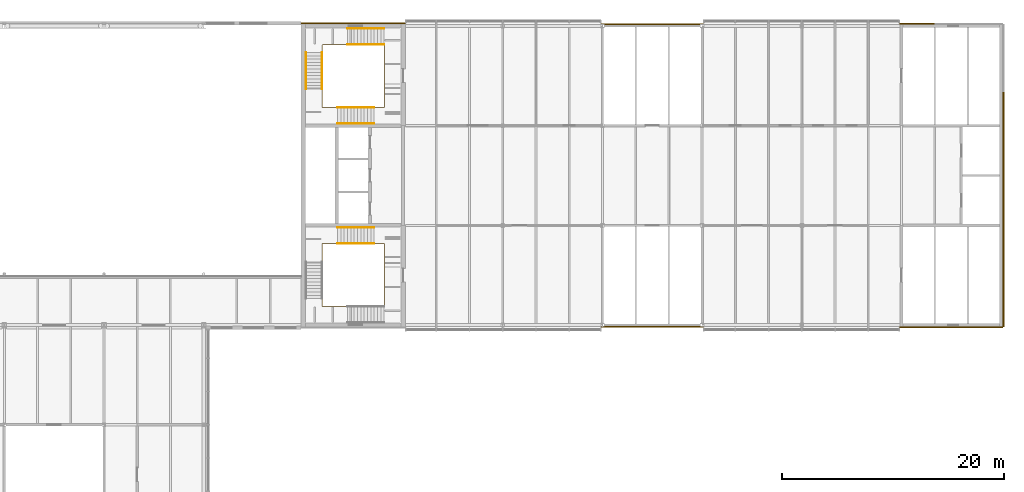
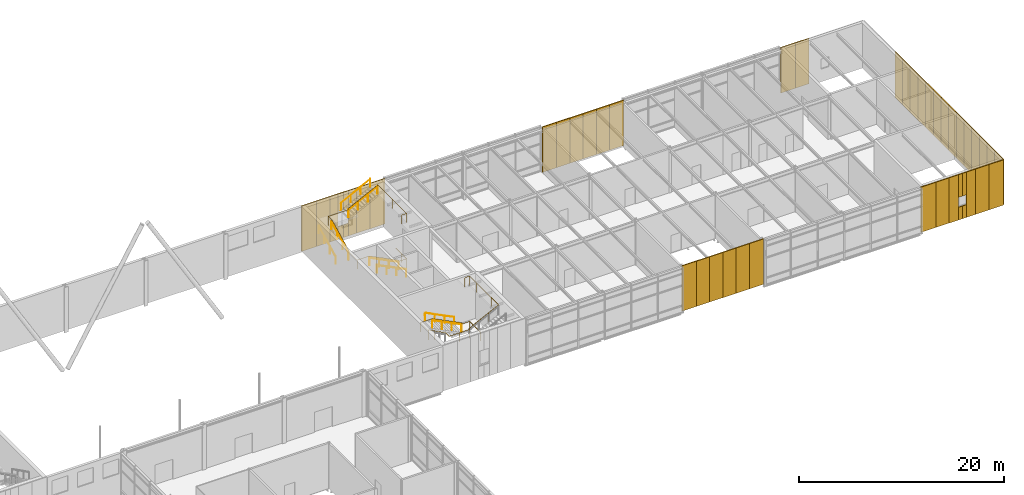
# One storey, part 45 of 46: 48 coverings, 10 railings.
"""IFC4 building model written with IfcOpenShell, lengths in metres."""

from ifc_helpers import new_model, si_unit, direction, frame, origin, origin_2d, place, context, subcontext, project, spatial, rectangle, circle, extrude, material, layer, layer_set, type_object, element, save


model = new_model("IFC4")

# Units and contexts
model_context = context("Model", 3, precision=1e-05, world=origin(), true_north=direction((0.0, 1.0)))
body_context = subcontext(model_context, "Body", "Model", "MODEL_VIEW")
ifc_project = project(units=[si_unit("LENGTHUNIT", "METRE"), si_unit("AREAUNIT", "SQUARE_METRE"), si_unit("VOLUMEUNIT", "CUBIC_METRE"), si_unit("PLANEANGLEUNIT", "RADIAN"), si_unit("MASSUNIT", "GRAM", prefix="KILO")], contexts=[model_context])

# Site, building, storey
site_placement = place(None, origin())
site = spatial("IfcSite", under=ifc_project, at=site_placement, CompositionType="ELEMENT")
building_placement = place(site_placement, origin())
building = spatial("IfcBuilding", under=site, at=building_placement, Name="Azimuth Sports and Learning Centre", CompositionType="ELEMENT")
storey_placement = place(building_placement, frame((0.0, 0.0, 21.60009765625)))
storey = spatial("IfcBuildingStorey", under=building, at=storey_placement, Name="L04", CompositionType="ELEMENT", Elevation=21.60009765625)

# Coverings
ifc_material_1 = material(Name="Cladding panel")
ifc_layer = layer(ifc_material_1, 0.10009765625)
ifc_layer_set = layer_set([ifc_layer], Name="Cladding panel")
covering_type = type_object("IfcCoveringType", Name="Cladding panel 100", PredefinedType="CLADDING", material=ifc_layer_set)
covering_1_placement = place(storey_placement, frame((135.699951171875, 89.85009765625, 0.0), z_axis=(0.0, 0.0, 1.0), x_axis=(1.0, 0.0, 0.0)))
element("IfcCovering", 1, at=covering_1_placement, inside=storey, type_object=covering_type, Name="Cladding panel S-EM1 L04 1", PredefinedType="CLADDING", context=body_context, shape_type="SweptSolid", body=[
    extrude(rectangle(XDim=1.60009765625, YDim=0.10009765625, at=origin_2d()), origin(), (0.0, 0.0, 1.0), 5.39990234375),
])
for number, where, z_axis, x_axis, name in (
    (2, (137.25, 89.85009765625, 0.0), (0.0, 0.0, 1.0), (1.0, 0.0, 0.0), "Cladding panel S-EM1 L04 2"),
    (3, (138.75, 89.85009765625, 0.0), (0.0, 0.0, 1.0), (1.0, 0.0, 0.0), "Cladding panel S-EM1 L04 3"),
    (4, (140.25, 89.85009765625, 0.0), (0.0, 0.0, 1.0), (1.0, 0.0, 0.0), "Cladding panel S-EM1 L04 4"),
    (5, (141.75, 89.85009765625, 0.0), (0.0, 0.0, 1.0), (1.0, 0.0, 0.0), "Cladding panel S-EM1 L04 5"),
):
    element("IfcCovering", number, at=place(storey_placement, frame(where, z_axis=z_axis, x_axis=x_axis)), inside=storey, type_object=covering_type, Name=name, PredefinedType="CLADDING", context=body_context, shape_type="SweptSolid", body=[
        extrude(rectangle(XDim=1.5, YDim=0.10009765625, at=origin_2d()), origin(), (0.0, 0.0, 1.0), 5.39990234375),
    ])
covering_2_placement = place(storey_placement, frame((143.300048828125, 89.85009765625, 0.0), z_axis=(0.0, 0.0, 1.0), x_axis=(1.0, 0.0, 0.0)))
element("IfcCovering", 6, at=covering_2_placement, inside=storey, type_object=covering_type, Name="Cladding panel S-EM1 L04 6", PredefinedType="CLADDING", context=body_context, shape_type="SweptSolid", body=[
    extrude(rectangle(XDim=1.60009765625, YDim=0.10009765625, at=origin_2d()), origin(), (0.0, 0.0, 1.0), 5.39990234375),
])
covering_3_placement = place(storey_placement, frame((162.675048828125, 89.800048828125, 0.0), z_axis=(0.0, 0.0, 1.0), x_axis=(1.0, 0.0, 0.0)))
element("IfcCovering", 7, at=covering_3_placement, inside=storey, type_object=covering_type, Name="Cladding panel S-END E L04 1", PredefinedType="CLADDING", context=body_context, shape_type="SweptSolid", body=[
    extrude(rectangle(XDim=1.64990234375, YDim=0.10009765625, at=origin_2d()), origin(), (0.0, 0.0, 1.0), 5.39990234375),
])
covering_4_placement = place(storey_placement, frame((164.25, 89.800048828125, 0.0), z_axis=(0.0, 0.0, 1.0), x_axis=(1.0, 0.0, 0.0)))
element("IfcCovering", 8, at=covering_4_placement, inside=storey, type_object=covering_type, Name="Cladding panel S-END E L04 2", PredefinedType="CLADDING", context=body_context, shape_type="SweptSolid", body=[
    extrude(rectangle(XDim=1.5, YDim=0.10009765625, at=origin_2d()), origin(), (0.0, 0.0, 1.0), 5.39990234375),
])
covering_5_placement = place(storey_placement, frame((165.52490234375, 89.800048828125, 0.0), z_axis=(0.0, 0.0, 1.0), x_axis=(1.0, 0.0, 0.0)))
element("IfcCovering", 9, at=covering_5_placement, inside=storey, type_object=covering_type, Name="Cladding panel S-END E L04 3", PredefinedType="CLADDING", context=body_context, shape_type="SweptSolid", body=[
    extrude(rectangle(XDim=1.050048828125, YDim=0.10009765625, at=origin_2d()), origin(), (0.0, 0.0, 1.0), 5.39990234375),
])
covering_6_placement = place(storey_placement, frame((166.27490234375, 89.800048828125, 0.0), z_axis=(0.0, 0.0, 1.0), x_axis=(1.0, 0.0, 0.0)))
element("IfcCovering", 10, at=covering_6_placement, inside=storey, type_object=covering_type, Name="Cladding panel S-END E L04 4", PredefinedType="CLADDING", context=body_context, shape_type="SweptSolid", body=[
    extrude(rectangle(XDim=0.449951171875, YDim=0.10009765625, at=origin_2d()), origin(), (0.0, 0.0, 1.0), 1.5),
])
covering_7_placement = place(storey_placement, frame((166.27490234375, 89.800048828125, 2.69970703125), z_axis=(0.0, 0.0, 1.0), x_axis=(1.0, 0.0, 0.0)))
element("IfcCovering", 11, at=covering_7_placement, inside=storey, type_object=covering_type, Name="Cladding panel S-END E L04 5", PredefinedType="CLADDING", context=body_context, shape_type="SweptSolid", body=[
    extrude(rectangle(XDim=0.449951171875, YDim=0.10009765625, at=origin_2d()), origin(), (0.0, 0.0, 1.0), 2.699951171875),
])
covering_8_placement = place(storey_placement, frame((167.47509765625, 89.800048828125, 0.0), z_axis=(0.0, 0.0, 1.0), x_axis=(1.0, 0.0, 0.0)))
element("IfcCovering", 12, at=covering_8_placement, inside=storey, type_object=covering_type, Name="Cladding panel S-END E L04 6", PredefinedType="CLADDING", context=body_context, shape_type="SweptSolid", body=[
    extrude(rectangle(XDim=1.050048828125, YDim=0.10009765625, at=origin_2d()), origin(), (0.0, 0.0, 1.0), 5.39990234375),
])
covering_9_placement = place(storey_placement, frame((166.72509765625, 89.800048828125, 0.0), z_axis=(0.0, 0.0, 1.0), x_axis=(1.0, 0.0, 0.0)))
element("IfcCovering", 13, at=covering_9_placement, inside=storey, type_object=covering_type, Name="Cladding panel S-END E L04 7", PredefinedType="CLADDING", context=body_context, shape_type="SweptSolid", body=[
    extrude(rectangle(XDim=0.449951171875, YDim=0.10009765625, at=origin_2d()), origin(), (0.0, 0.0, 1.0), 1.5),
])
covering_10_placement = place(storey_placement, frame((166.72509765625, 89.800048828125, 2.69970703125), z_axis=(0.0, 0.0, 1.0), x_axis=(1.0, 0.0, 0.0)))
element("IfcCovering", 14, at=covering_10_placement, inside=storey, type_object=covering_type, Name="Cladding panel S-END E L04 8", PredefinedType="CLADDING", context=body_context, shape_type="SweptSolid", body=[
    extrude(rectangle(XDim=0.449951171875, YDim=0.10009765625, at=origin_2d()), origin(), (0.0, 0.0, 1.0), 2.699951171875),
])
covering_11_placement = place(storey_placement, frame((168.75, 89.800048828125, 0.0), z_axis=(0.0, 0.0, 1.0), x_axis=(1.0, 0.0, 0.0)))
element("IfcCovering", 15, at=covering_11_placement, inside=storey, type_object=covering_type, Name="Cladding panel S-END E L04 9", PredefinedType="CLADDING", context=body_context, shape_type="SweptSolid", body=[
    extrude(rectangle(XDim=1.5, YDim=0.10009765625, at=origin_2d()), origin(), (0.0, 0.0, 1.0), 5.39990234375),
])
for number, where, z_axis, x_axis, name in (
    (16, (170.324951171875, 89.800048828125, 0.0), (0.0, 0.0, 1.0), (1.0, 0.0, 0.0), "Cladding panel S-END E L04 10"),
    (17, (171.199951171875, 90.675048828125, 0.0), (0.0, 0.0, 1.0), (0.0, 1.0, 0.0), "Cladding panel E-END E L04 1"),
):
    element("IfcCovering", number, at=place(storey_placement, frame(where, z_axis=z_axis, x_axis=x_axis)), inside=storey, type_object=covering_type, Name=name, PredefinedType="CLADDING", context=body_context, shape_type="SweptSolid", body=[
        extrude(rectangle(XDim=1.64990234375, YDim=0.10009765625, at=origin_2d()), origin(), (0.0, 0.0, 1.0), 5.39990234375),
    ])
for number, where, z_axis, x_axis, name in (
    (18, (171.199951171875, 92.25, 0.0), (0.0, 0.0, 1.0), (0.0, 1.0, 0.0), "Cladding panel E-END E L04 2"),
    (19, (171.199951171875, 93.75, 0.0), (0.0, 0.0, 1.0), (0.0, 1.0, 0.0), "Cladding panel E-END E L04 3"),
    (20, (171.199951171875, 95.25, 0.0), (0.0, 0.0, 1.0), (0.0, 1.0, 0.0), "Cladding panel E-END E L04 4"),
    (21, (171.199951171875, 96.75, 0.0), (0.0, 0.0, 1.0), (0.0, 1.0, 0.0), "Cladding panel E-END E L04 5"),
    (22, (171.199951171875, 98.25, 0.0), (0.0, 0.0, 1.0), (0.0, 1.0, 0.0), "Cladding panel E-END E L04 6"),
    (23, (171.199951171875, 99.75, 0.0), (0.0, 0.0, 1.0), (0.0, 1.0, 0.0), "Cladding panel E-END E L04 7"),
    (24, (171.199951171875, 101.25, 0.0), (0.0, 0.0, 1.0), (0.0, 1.0, 0.0), "Cladding panel E-END E L04 8"),
    (25, (171.199951171875, 102.75, 0.0), (0.0, 0.0, 1.0), (0.0, 1.0, 0.0), "Cladding panel E-END E L04 9"),
    (26, (171.199951171875, 104.25, 0.0), (0.0, 0.0, 1.0), (0.0, 1.0, 0.0), "Cladding panel E-END E L04 10"),
    (27, (171.199951171875, 105.75, 0.0), (0.0, 0.0, 1.0), (0.0, 1.0, 0.0), "Cladding panel E-END E L04 11"),
    (28, (171.199951171875, 107.25, 0.0), (0.0, 0.0, 1.0), (0.0, 1.0, 0.0), "Cladding panel E-END E L04 12"),
    (29, (171.199951171875, 108.75, 0.0), (0.0, 0.0, 1.0), (0.0, 1.0, 0.0), "Cladding panel E-END E L04 13"),
    (30, (171.199951171875, 110.25, 0.0), (0.0, 0.0, 1.0), (0.0, 1.0, 0.0), "Cladding panel E-END E L04 14"),
    (31, (164.25, 117.199951171875, 0.0), (0.0, 0.0, 1.0), (-1.0, 0.0, 0.0), "Cladding panel N-END E L04 9"),
):
    element("IfcCovering", number, at=place(storey_placement, frame(where, z_axis=z_axis, x_axis=x_axis)), inside=storey, type_object=covering_type, Name=name, PredefinedType="CLADDING", context=body_context, shape_type="SweptSolid", body=[
        extrude(rectangle(XDim=1.5, YDim=0.10009765625, at=origin_2d()), origin(), (0.0, 0.0, 1.0), 5.39990234375),
    ])
covering_12_placement = place(storey_placement, frame((162.675048828125, 117.199951171875, 0.0), z_axis=(0.0, 0.0, 1.0), x_axis=(-1.0, 0.0, 0.0)))
element("IfcCovering", 32, at=covering_12_placement, inside=storey, type_object=covering_type, Name="Cladding panel N-END E L04 10", PredefinedType="CLADDING", context=body_context, shape_type="SweptSolid", body=[
    extrude(rectangle(XDim=1.64990234375, YDim=0.10009765625, at=origin_2d()), origin(), (0.0, 0.0, 1.0), 5.39990234375),
])
covering_13_placement = place(storey_placement, frame((143.300048828125, 117.14990234375, 0.0), z_axis=(0.0, 0.0, 1.0), x_axis=(-1.0, 0.0, 0.0)))
element("IfcCovering", 33, at=covering_13_placement, inside=storey, type_object=covering_type, Name="Cladding panel N-EM2 L04 1", PredefinedType="CLADDING", context=body_context, shape_type="SweptSolid", body=[
    extrude(rectangle(XDim=1.60009765625, YDim=0.10009765625, at=origin_2d()), origin(), (0.0, 0.0, 1.0), 5.39990234375),
])
for number, where, z_axis, x_axis, name in (
    (34, (141.75, 117.14990234375, 0.0), (0.0, 0.0, 1.0), (-1.0, 0.0, 0.0), "Cladding panel N-EM2 L04 2"),
    (35, (140.25, 117.14990234375, 0.0), (0.0, 0.0, 1.0), (-1.0, 0.0, 0.0), "Cladding panel N-EM2 L04 3"),
    (36, (138.75, 117.14990234375, 0.0), (0.0, 0.0, 1.0), (-1.0, 0.0, 0.0), "Cladding panel N-EM2 L04 4"),
    (37, (137.25, 117.14990234375, 0.0), (0.0, 0.0, 1.0), (-1.0, 0.0, 0.0), "Cladding panel N-EM2 L04 5"),
):
    element("IfcCovering", number, at=place(storey_placement, frame(where, z_axis=z_axis, x_axis=x_axis)), inside=storey, type_object=covering_type, Name=name, PredefinedType="CLADDING", context=body_context, shape_type="SweptSolid", body=[
        extrude(rectangle(XDim=1.5, YDim=0.10009765625, at=origin_2d()), origin(), (0.0, 0.0, 1.0), 5.39990234375),
    ])
covering_14_placement = place(storey_placement, frame((135.699951171875, 117.14990234375, 0.0), z_axis=(0.0, 0.0, 1.0), x_axis=(-1.0, 0.0, 0.0)))
element("IfcCovering", 38, at=covering_14_placement, inside=storey, type_object=covering_type, Name="Cladding panel N-EM2 L04 6", PredefinedType="CLADDING", context=body_context, shape_type="SweptSolid", body=[
    extrude(rectangle(XDim=1.60009765625, YDim=0.10009765625, at=origin_2d()), origin(), (0.0, 0.0, 1.0), 5.39990234375),
])
covering_15_placement = place(storey_placement, frame((116.35009765625, 117.25, 0.0), z_axis=(0.0, 0.0, 1.0), x_axis=(-1.0, 0.0, 0.0)))
element("IfcCovering", 39, at=covering_15_placement, inside=storey, type_object=covering_type, Name="Cladding panel N-CORE E L04 1", PredefinedType="CLADDING", context=body_context, shape_type="SweptSolid", body=[
    extrude(rectangle(XDim=1.699951171875, YDim=0.10009765625, at=origin_2d()), origin(), (0.0, 0.0, 1.0), 5.39990234375),
])
covering_16_placement = place(storey_placement, frame((114.75, 117.25, 0.0), z_axis=(0.0, 0.0, 1.0), x_axis=(-1.0, 0.0, 0.0)))
element("IfcCovering", 40, at=covering_16_placement, inside=storey, type_object=covering_type, Name="Cladding panel N-CORE E L04 2", PredefinedType="CLADDING", context=body_context, shape_type="SweptSolid", body=[
    extrude(rectangle(XDim=1.5, YDim=0.10009765625, at=origin_2d()), origin(), (0.0, 0.0, 1.0), 5.39990234375),
])
covering_17_placement = place(storey_placement, frame((113.550048828125, 117.25, 0.0), z_axis=(0.0, 0.0, 1.0), x_axis=(-1.0, 0.0, 0.0)))
element("IfcCovering", 41, at=covering_17_placement, inside=storey, type_object=covering_type, Name="Cladding panel N-CORE E L04 3", PredefinedType="CLADDING", context=body_context, shape_type="SweptSolid", body=[
    extrude(rectangle(XDim=0.89990234375, YDim=0.10009765625, at=origin_2d()), origin(), (0.0, 0.0, 1.0), 5.39990234375),
])
covering_18_placement = place(storey_placement, frame((112.800048828125, 117.25, 0.0), z_axis=(0.0, 0.0, 1.0), x_axis=(-1.0, 0.0, 0.0)))
element("IfcCovering", 42, at=covering_18_placement, inside=storey, type_object=covering_type, Name="Cladding panel N-CORE E L04 4", PredefinedType="CLADDING", context=body_context, shape_type="SweptSolid", body=[
    extrude(rectangle(XDim=0.60009765625, YDim=0.10009765625, at=origin_2d()), origin(), (0.0, 0.0, 1.0), 1.5),
])
covering_19_placement = place(storey_placement, frame((112.800048828125, 117.25, 3.2998046875), z_axis=(0.0, 0.0, 1.0), x_axis=(-1.0, 0.0, 0.0)))
element("IfcCovering", 43, at=covering_19_placement, inside=storey, type_object=covering_type, Name="Cladding panel N-CORE E L04 5", PredefinedType="CLADDING", context=body_context, shape_type="SweptSolid", body=[
    extrude(rectangle(XDim=0.60009765625, YDim=0.10009765625, at=origin_2d()), origin(), (0.0, 0.0, 1.0), 2.10009765625),
])
covering_20_placement = place(storey_placement, frame((111.449951171875, 117.25, 0.0), z_axis=(0.0, 0.0, 1.0), x_axis=(-1.0, 0.0, 0.0)))
element("IfcCovering", 44, at=covering_20_placement, inside=storey, type_object=covering_type, Name="Cladding panel N-CORE E L04 6", PredefinedType="CLADDING", context=body_context, shape_type="SweptSolid", body=[
    extrude(rectangle(XDim=0.89990234375, YDim=0.10009765625, at=origin_2d()), origin(), (0.0, 0.0, 1.0), 5.39990234375),
])
covering_21_placement = place(storey_placement, frame((112.199951171875, 117.25, 0.0), z_axis=(0.0, 0.0, 1.0), x_axis=(-1.0, 0.0, 0.0)))
element("IfcCovering", 45, at=covering_21_placement, inside=storey, type_object=covering_type, Name="Cladding panel N-CORE E L04 7", PredefinedType="CLADDING", context=body_context, shape_type="SweptSolid", body=[
    extrude(rectangle(XDim=0.60009765625, YDim=0.10009765625, at=origin_2d()), origin(), (0.0, 0.0, 1.0), 1.5),
])
covering_22_placement = place(storey_placement, frame((112.199951171875, 117.25, 3.2998046875), z_axis=(0.0, 0.0, 1.0), x_axis=(-1.0, 0.0, 0.0)))
element("IfcCovering", 46, at=covering_22_placement, inside=storey, type_object=covering_type, Name="Cladding panel N-CORE E L04 8", PredefinedType="CLADDING", context=body_context, shape_type="SweptSolid", body=[
    extrude(rectangle(XDim=0.60009765625, YDim=0.10009765625, at=origin_2d()), origin(), (0.0, 0.0, 1.0), 2.10009765625),
])
covering_23_placement = place(storey_placement, frame((110.25, 117.25, 0.0), z_axis=(0.0, 0.0, 1.0), x_axis=(-1.0, 0.0, 0.0)))
element("IfcCovering", 47, at=covering_23_placement, inside=storey, type_object=covering_type, Name="Cladding panel N-CORE E L04 9", PredefinedType="CLADDING", context=body_context, shape_type="SweptSolid", body=[
    extrude(rectangle(XDim=1.5, YDim=0.10009765625, at=origin_2d()), origin(), (0.0, 0.0, 1.0), 5.39990234375),
])
covering_24_placement = place(storey_placement, frame((108.64990234375, 117.25, 0.0), z_axis=(0.0, 0.0, 1.0), x_axis=(-1.0, 0.0, 0.0)))
element("IfcCovering", 48, at=covering_24_placement, inside=storey, type_object=covering_type, Name="Cladding panel N-CORE E L04 10", PredefinedType="CLADDING", context=body_context, shape_type="SweptSolid", body=[
    extrude(rectangle(XDim=1.699951171875, YDim=0.10009765625, at=origin_2d()), origin(), (0.0, 0.0, 1.0), 5.39990234375),
])

# Railings
ifc_material_2 = material(Name="Stainless steel", Category="steel")
railing_type_1 = type_object("IfcRailingType", Name="Stair guard 1100", PredefinedType="GUARDRAIL", material=ifc_material_2)
railing_1_placement = place(storey_placement, frame((115.2900390625, 95.25, 0.0)))
element("IfcRailing", 49, at=railing_1_placement, inside=storey, type_object=railing_type_1, Name="Guard E1 L04 well", PredefinedType="GUARDRAIL", context=body_context, shape_type="SweptSolid", body=[
    extrude(circle(Radius=0.02392578125, at=origin_2d()), frame((0.0, 0.0, 1.076171875), z_axis=(0.0, 1.0, 0.0), x_axis=(-1.0, 0.0, 0.0)), (0.0, 0.0, 1.0), 2.090087890625),
    extrude(circle(Radius=0.02392578125, at=origin_2d()), frame((0.0, 2.090087890625, 1.076171875), z_axis=(-1.0, 0.0, 0.0), x_axis=(0.0, -1.0, 0.0)), (0.0, 0.0, 1.0), 0.900146484375),
    extrude(circle(Radius=0.02392578125, at=origin_2d()), frame((-0.900146484375, 2.090087890625, 1.076171875), z_axis=(0.0, 0.0, 1.0), x_axis=(1.0, 0.0, 0.0)), (0.0, 0.0, 1.0), 0.14990234375),
    extrude(circle(Radius=0.02392578125, at=origin_2d()), frame((-0.900146484375, 2.090087890625, 1.22607421875), z_axis=(-0.894427191, 0.0, 0.4472135955), x_axis=(0.0, -1.0, 0.0)), (0.0, 0.0, 1.0), 3.689208984375),
    extrude(circle(Radius=0.02392578125, at=origin_2d()), frame((-4.199951171875, 2.090087890625, 2.8759765625), z_axis=(-1.0, 0.0, 0.0), x_axis=(0.0, -1.0, 0.0)), (0.0, 0.0, 1.0), 1.380126953125),
    extrude(circle(Radius=0.02392578125, at=origin_2d()), frame((-5.580078125, 2.090087890625, 2.8759765625), z_axis=(0.0, -1.0, 0.0), x_axis=(1.0, 0.0, 0.0)), (0.0, 0.0, 1.0), 1.650146484375),
    extrude(circle(Radius=0.02392578125, at=origin_2d()), frame((-5.580078125, 0.43994140625, 2.8759765625), z_axis=(0.0, 0.0, 1.0), x_axis=(1.0, 0.0, 0.0)), (0.0, 0.0, 1.0), 0.150146484375),
    extrude(circle(Radius=0.02392578125, at=origin_2d()), frame((-5.580078125, 0.43994140625, 3.02587890625), z_axis=(0.0, -0.894440424912, 0.447187126696), x_axis=(1.0, 0.0, 0.0)), (0.0, 0.0, 1.0), 3.689453125),
    extrude(circle(Radius=0.02392578125, at=origin_2d()), frame((-5.580078125, -2.860107421875, 4.67578125), z_axis=(0.0, -1.0, 0.0), x_axis=(1.0, 0.0, 0.0)), (0.0, 0.0, 1.0), 0.679931640625),
    extrude(circle(Radius=0.02392578125, at=origin_2d()), frame((-5.580078125, -3.5400390625, 4.67578125), z_axis=(1.0, 0.0, 0.0), x_axis=(0.0, 1.0, 0.0)), (0.0, 0.0, 1.0), 2.280029296875),
    extrude(circle(Radius=0.02392578125, at=origin_2d()), frame((-3.300048828125, -3.5400390625, 4.67578125), z_axis=(0.0, 0.0, 1.0), x_axis=(1.0, 0.0, 0.0)), (0.0, 0.0, 1.0), 0.150146484375),
    extrude(circle(Radius=0.02392578125, at=origin_2d()), frame((-3.300048828125, -3.5400390625, 4.826171875), z_axis=(0.894440424912, 0.0, 0.447187126696), x_axis=(0.0, 1.0, 0.0)), (0.0, 0.0, 1.0), 3.689453125),
    extrude(circle(Radius=0.02392578125, at=origin_2d()), frame((0.0, -3.5400390625, 6.47607421875), z_axis=(0.0, 1.0, 0.0), x_axis=(-1.0, 0.0, 0.0)), (0.0, 0.0, 1.0), 5.630126953125),
    extrude(circle(Radius=0.02392578125, at=origin_2d()), frame((0.0, 2.090087890625, 6.47607421875), z_axis=(-1.0, 0.0, 0.0), x_axis=(0.0, -1.0, 0.0)), (0.0, 0.0, 1.0), 0.5400390625),
    extrude(circle(Radius=0.01611328125, at=origin_2d()), origin(), (0.0, 0.0, 1.0), 1.052001953125),
    extrude(circle(Radius=0.01611328125, at=origin_2d()), frame((0.0, 1.044921875, 0.0)), (0.0, 0.0, 1.0), 1.052001953125),
    extrude(circle(Radius=0.01611328125, at=origin_2d()), frame((0.0, 2.090087890625, 0.0)), (0.0, 0.0, 1.0), 1.052001953125),
    extrude(circle(Radius=0.01611328125, at=origin_2d()), frame((-0.900146484375, 2.090087890625, 0.0)), (0.0, 0.0, 1.0), 1.052001953125),
    extrude(circle(Radius=0.01611328125, at=origin_2d()), frame((-0.900146484375, 2.090087890625, 0.14990234375)), (0.0, 0.0, 1.0), 1.052001953125),
    extrude(circle(Radius=0.01611328125, at=origin_2d()), frame((-2.0, 2.090087890625, 0.699951171875)), (0.0, 0.0, 1.0), 1.052001953125),
    extrude(circle(Radius=0.01611328125, at=origin_2d()), frame((-3.10009765625, 2.090087890625, 1.249755859375)), (0.0, 0.0, 1.0), 1.052001953125),
    extrude(circle(Radius=0.01611328125, at=origin_2d()), frame((-4.199951171875, 2.090087890625, 1.7998046875)), (0.0, 0.0, 1.0), 1.052001953125),
    extrude(circle(Radius=0.01611328125, at=origin_2d()), frame((-5.580078125, 2.090087890625, 1.7998046875)), (0.0, 0.0, 1.0), 1.052001953125),
    extrude(circle(Radius=0.01611328125, at=origin_2d()), frame((-5.580078125, 1.26513671875, 1.7998046875)), (0.0, 0.0, 1.0), 1.052001953125),
    extrude(circle(Radius=0.01611328125, at=origin_2d()), frame((-5.580078125, 0.43994140625, 1.7998046875)), (0.0, 0.0, 1.0), 1.052001953125),
    extrude(circle(Radius=0.01611328125, at=origin_2d()), frame((-5.580078125, 0.43994140625, 1.949951171875)), (0.0, 0.0, 1.0), 1.052001953125),
    extrude(circle(Radius=0.01611328125, at=origin_2d()), frame((-5.580078125, -0.66015625, 2.5)), (0.0, 0.0, 1.0), 1.052001953125),
    extrude(circle(Radius=0.01611328125, at=origin_2d()), frame((-5.580078125, -1.760009765625, 3.0498046875)), (0.0, 0.0, 1.0), 1.052001953125),
    extrude(circle(Radius=0.01611328125, at=origin_2d()), frame((-5.580078125, -2.860107421875, 3.599853515625)), (0.0, 0.0, 1.0), 1.052001953125),
    extrude(circle(Radius=0.01611328125, at=origin_2d()), frame((-5.580078125, -3.5400390625, 3.599853515625)), (0.0, 0.0, 1.0), 1.052001953125),
    extrude(circle(Radius=0.01611328125, at=origin_2d()), frame((-4.43994140625, -3.5400390625, 3.599853515625)), (0.0, 0.0, 1.0), 1.052001953125),
    extrude(circle(Radius=0.01611328125, at=origin_2d()), frame((-3.300048828125, -3.5400390625, 3.599853515625)), (0.0, 0.0, 1.0), 1.052001953125),
    extrude(circle(Radius=0.01611328125, at=origin_2d()), frame((-3.300048828125, -3.5400390625, 3.75)), (0.0, 0.0, 1.0), 1.052001953125),
    extrude(circle(Radius=0.01611328125, at=origin_2d()), frame((-2.199951171875, -3.5400390625, 4.300048828125)), (0.0, 0.0, 1.0), 1.052001953125),
    extrude(circle(Radius=0.01611328125, at=origin_2d()), frame((-1.10009765625, -3.5400390625, 4.849853515625)), (0.0, 0.0, 1.0), 1.052001953125),
    extrude(circle(Radius=0.01611328125, at=origin_2d()), frame((0.0, -3.5400390625, 5.39990234375)), (0.0, 0.0, 1.0), 1.052001953125),
    extrude(circle(Radius=0.01611328125, at=origin_2d()), frame((0.0, -2.132568359375, 5.39990234375)), (0.0, 0.0, 1.0), 1.052001953125),
    extrude(circle(Radius=0.01611328125, at=origin_2d()), frame((0.0, -0.72509765625, 5.39990234375)), (0.0, 0.0, 1.0), 1.052001953125),
    extrude(circle(Radius=0.01611328125, at=origin_2d()), frame((0.0, 0.6826171875, 5.39990234375)), (0.0, 0.0, 1.0), 1.052001953125),
    extrude(circle(Radius=0.01611328125, at=origin_2d()), frame((0.0, 2.090087890625, 5.39990234375)), (0.0, 0.0, 1.0), 1.052001953125),
    extrude(circle(Radius=0.01611328125, at=origin_2d()), frame((-0.5400390625, 2.090087890625, 5.39990234375)), (0.0, 0.0, 1.0), 1.052001953125),
])
railing_2_placement = place(storey_placement, frame((115.2900390625, 111.75, 0.0)))
element("IfcRailing", 50, at=railing_2_placement, inside=storey, type_object=railing_type_1, Name="Guard E2 L04 well", PredefinedType="GUARDRAIL", context=body_context, shape_type="SweptSolid", body=[
    extrude(circle(Radius=0.02392578125, at=origin_2d()), frame((0.0, 0.0, 1.076171875), z_axis=(0.0, -1.0, 0.0), x_axis=(1.0, 0.0, 0.0)), (0.0, 0.0, 1.0), 2.090087890625),
    extrude(circle(Radius=0.02392578125, at=origin_2d()), frame((0.0, -2.090087890625, 1.076171875), z_axis=(-1.0, 0.0, 0.0), x_axis=(0.0, -1.0, 0.0)), (0.0, 0.0, 1.0), 0.900146484375),
    extrude(circle(Radius=0.02392578125, at=origin_2d()), frame((-0.900146484375, -2.090087890625, 1.076171875), z_axis=(0.0, 0.0, 1.0), x_axis=(1.0, 0.0, 0.0)), (0.0, 0.0, 1.0), 0.14990234375),
    extrude(circle(Radius=0.02392578125, at=origin_2d()), frame((-0.900146484375, -2.090087890625, 1.22607421875), z_axis=(-0.894427191, 0.0, 0.4472135955), x_axis=(0.0, -1.0, 0.0)), (0.0, 0.0, 1.0), 3.689208984375),
    extrude(circle(Radius=0.02392578125, at=origin_2d()), frame((-4.199951171875, -2.090087890625, 2.8759765625), z_axis=(-1.0, 0.0, 0.0), x_axis=(0.0, -1.0, 0.0)), (0.0, 0.0, 1.0), 1.380126953125),
    extrude(circle(Radius=0.02392578125, at=origin_2d()), frame((-5.580078125, -2.090087890625, 2.8759765625), z_axis=(0.0, 1.0, 0.0), x_axis=(-1.0, 0.0, 0.0)), (0.0, 0.0, 1.0), 1.650146484375),
    extrude(circle(Radius=0.02392578125, at=origin_2d()), frame((-5.580078125, -0.43994140625, 2.8759765625), z_axis=(0.0, 0.0, 1.0), x_axis=(1.0, 0.0, 0.0)), (0.0, 0.0, 1.0), 0.150146484375),
    extrude(circle(Radius=0.02392578125, at=origin_2d()), frame((-5.580078125, -0.43994140625, 3.02587890625), z_axis=(0.0, 0.894440424912, 0.447187126696), x_axis=(-1.0, 0.0, 0.0)), (0.0, 0.0, 1.0), 3.689453125),
    extrude(circle(Radius=0.02392578125, at=origin_2d()), frame((-5.580078125, 2.860107421875, 4.67578125), z_axis=(0.0, 1.0, 0.0), x_axis=(-1.0, 0.0, 0.0)), (0.0, 0.0, 1.0), 0.679931640625),
    extrude(circle(Radius=0.02392578125, at=origin_2d()), frame((-5.580078125, 3.5400390625, 4.67578125), z_axis=(1.0, 0.0, 0.0), x_axis=(0.0, 1.0, 0.0)), (0.0, 0.0, 1.0), 2.280029296875),
    extrude(circle(Radius=0.02392578125, at=origin_2d()), frame((-3.300048828125, 3.5400390625, 4.67578125), z_axis=(0.0, 0.0, 1.0), x_axis=(1.0, 0.0, 0.0)), (0.0, 0.0, 1.0), 0.150146484375),
    extrude(circle(Radius=0.02392578125, at=origin_2d()), frame((-3.300048828125, 3.5400390625, 4.826171875), z_axis=(0.894440424912, 0.0, 0.447187126696), x_axis=(0.0, 1.0, 0.0)), (0.0, 0.0, 1.0), 3.689453125),
    extrude(circle(Radius=0.02392578125, at=origin_2d()), frame((0.0, 3.5400390625, 6.47607421875), z_axis=(0.0, -1.0, 0.0), x_axis=(1.0, 0.0, 0.0)), (0.0, 0.0, 1.0), 5.630126953125),
    extrude(circle(Radius=0.02392578125, at=origin_2d()), frame((0.0, -2.090087890625, 6.47607421875), z_axis=(-1.0, 0.0, 0.0), x_axis=(0.0, -1.0, 0.0)), (0.0, 0.0, 1.0), 0.5400390625),
    extrude(circle(Radius=0.01611328125, at=origin_2d()), origin(), (0.0, 0.0, 1.0), 1.052001953125),
    extrude(circle(Radius=0.01611328125, at=origin_2d()), frame((0.0, -1.044921875, 0.0)), (0.0, 0.0, 1.0), 1.052001953125),
    extrude(circle(Radius=0.01611328125, at=origin_2d()), frame((0.0, -2.090087890625, 0.0)), (0.0, 0.0, 1.0), 1.052001953125),
    extrude(circle(Radius=0.01611328125, at=origin_2d()), frame((-0.900146484375, -2.090087890625, 0.0)), (0.0, 0.0, 1.0), 1.052001953125),
    extrude(circle(Radius=0.01611328125, at=origin_2d()), frame((-0.900146484375, -2.090087890625, 0.14990234375)), (0.0, 0.0, 1.0), 1.052001953125),
    extrude(circle(Radius=0.01611328125, at=origin_2d()), frame((-2.0, -2.090087890625, 0.699951171875)), (0.0, 0.0, 1.0), 1.052001953125),
    extrude(circle(Radius=0.01611328125, at=origin_2d()), frame((-3.10009765625, -2.090087890625, 1.249755859375)), (0.0, 0.0, 1.0), 1.052001953125),
    extrude(circle(Radius=0.01611328125, at=origin_2d()), frame((-4.199951171875, -2.090087890625, 1.7998046875)), (0.0, 0.0, 1.0), 1.052001953125),
    extrude(circle(Radius=0.01611328125, at=origin_2d()), frame((-5.580078125, -2.090087890625, 1.7998046875)), (0.0, 0.0, 1.0), 1.052001953125),
    extrude(circle(Radius=0.01611328125, at=origin_2d()), frame((-5.580078125, -1.26513671875, 1.7998046875)), (0.0, 0.0, 1.0), 1.052001953125),
    extrude(circle(Radius=0.01611328125, at=origin_2d()), frame((-5.580078125, -0.43994140625, 1.7998046875)), (0.0, 0.0, 1.0), 1.052001953125),
    extrude(circle(Radius=0.01611328125, at=origin_2d()), frame((-5.580078125, -0.43994140625, 1.949951171875)), (0.0, 0.0, 1.0), 1.052001953125),
    extrude(circle(Radius=0.01611328125, at=origin_2d()), frame((-5.580078125, 0.66015625, 2.5)), (0.0, 0.0, 1.0), 1.052001953125),
    extrude(circle(Radius=0.01611328125, at=origin_2d()), frame((-5.580078125, 1.760009765625, 3.0498046875)), (0.0, 0.0, 1.0), 1.052001953125),
    extrude(circle(Radius=0.01611328125, at=origin_2d()), frame((-5.580078125, 2.860107421875, 3.599853515625)), (0.0, 0.0, 1.0), 1.052001953125),
    extrude(circle(Radius=0.01611328125, at=origin_2d()), frame((-5.580078125, 3.5400390625, 3.599853515625)), (0.0, 0.0, 1.0), 1.052001953125),
    extrude(circle(Radius=0.01611328125, at=origin_2d()), frame((-4.43994140625, 3.5400390625, 3.599853515625)), (0.0, 0.0, 1.0), 1.052001953125),
    extrude(circle(Radius=0.01611328125, at=origin_2d()), frame((-3.300048828125, 3.5400390625, 3.599853515625)), (0.0, 0.0, 1.0), 1.052001953125),
    extrude(circle(Radius=0.01611328125, at=origin_2d()), frame((-3.300048828125, 3.5400390625, 3.75)), (0.0, 0.0, 1.0), 1.052001953125),
    extrude(circle(Radius=0.01611328125, at=origin_2d()), frame((-2.199951171875, 3.5400390625, 4.300048828125)), (0.0, 0.0, 1.0), 1.052001953125),
    extrude(circle(Radius=0.01611328125, at=origin_2d()), frame((-1.10009765625, 3.5400390625, 4.849853515625)), (0.0, 0.0, 1.0), 1.052001953125),
    extrude(circle(Radius=0.01611328125, at=origin_2d()), frame((0.0, 3.5400390625, 5.39990234375)), (0.0, 0.0, 1.0), 1.052001953125),
    extrude(circle(Radius=0.01611328125, at=origin_2d()), frame((0.0, 2.132568359375, 5.39990234375)), (0.0, 0.0, 1.0), 1.052001953125),
    extrude(circle(Radius=0.01611328125, at=origin_2d()), frame((0.0, 0.72509765625, 5.39990234375)), (0.0, 0.0, 1.0), 1.052001953125),
    extrude(circle(Radius=0.01611328125, at=origin_2d()), frame((0.0, -0.6826171875, 5.39990234375)), (0.0, 0.0, 1.0), 1.052001953125),
    extrude(circle(Radius=0.01611328125, at=origin_2d()), frame((0.0, -2.090087890625, 5.39990234375)), (0.0, 0.0, 1.0), 1.052001953125),
    extrude(circle(Radius=0.01611328125, at=origin_2d()), frame((-0.5400390625, -2.090087890625, 5.39990234375)), (0.0, 0.0, 1.0), 1.052001953125),
])
ifc_material_3 = material(Name="Stainless steel", Category="steel")
railing_type_2 = type_object("IfcRailingType", Name="Stair handrail 42", PredefinedType="HANDRAIL", material=ifc_material_3)
for number, where, name in (
    (51, (114.389892578125, 97.3701171875, 0.14990234375), "Handrail E1 L04 flight 1 inner"),
    (52, (114.389892578125, 98.81005859375, 0.14990234375), "Handrail E1 L04 flight 1 outer"),
    (53, (114.389892578125, 109.6298828125, 0.14990234375), "Handrail E2 L04 flight 1 inner"),
    (54, (114.389892578125, 108.18994140625, 0.14990234375), "Handrail E2 L04 flight 1 outer"),
):
    element("IfcRailing", number, at=place(storey_placement, frame(where)), inside=storey, type_object=railing_type_2, Name=name, PredefinedType="HANDRAIL", context=body_context, shape_type="SweptSolid", body=[
        extrude(circle(Radius=0.02099609375, at=origin_2d()), frame((0.0, 0.0, 0.87890625), z_axis=(-0.894427191, 0.0, 0.4472135955), x_axis=(0.0, -1.0, 0.0)), (0.0, 0.0, 1.0), 3.689208984375),
        extrude(circle(Radius=0.01611328125, at=origin_2d()), origin(), (0.0, 0.0, 1.0), 0.85791015625),
        extrude(circle(Radius=0.01611328125, at=origin_2d()), frame((-1.099853515625, 0.0, 0.550048828125)), (0.0, 0.0, 1.0), 0.85791015625),
        extrude(circle(Radius=0.01611328125, at=origin_2d()), frame((-2.199951171875, 0.0, 1.099853515625)), (0.0, 0.0, 1.0), 0.85791015625),
        extrude(circle(Radius=0.01611328125, at=origin_2d()), frame((-3.2998046875, 0.0, 1.64990234375)), (0.0, 0.0, 1.0), 0.85791015625),
    ])
for number, where, name in (
    (55, (109.679931640625, 111.31005859375, 1.949951171875), "Handrail E2 L04 flight 2 inner"),
    (56, (108.239990234375, 111.31005859375, 1.949951171875), "Handrail E2 L04 flight 2 outer"),
):
    element("IfcRailing", number, at=place(storey_placement, frame(where)), inside=storey, type_object=railing_type_2, Name=name, PredefinedType="HANDRAIL", context=body_context, shape_type="SweptSolid", body=[
        extrude(circle(Radius=0.02099609375, at=origin_2d()), frame((0.0, 0.0, 0.87890625), z_axis=(0.0, 0.894440424912, 0.447187126696), x_axis=(-1.0, 0.0, 0.0)), (0.0, 0.0, 1.0), 3.689453125),
        extrude(circle(Radius=0.01611328125, at=origin_2d()), origin(), (0.0, 0.0, 1.0), 0.85791015625),
        extrude(circle(Radius=0.01611328125, at=origin_2d()), frame((0.0, 1.10009765625, 0.550048828125)), (0.0, 0.0, 1.0), 0.85791015625),
        extrude(circle(Radius=0.01611328125, at=origin_2d()), frame((0.0, 2.199951171875, 1.099853515625)), (0.0, 0.0, 1.0), 0.85791015625),
        extrude(circle(Radius=0.01611328125, at=origin_2d()), frame((0.0, 3.300048828125, 1.64990234375)), (0.0, 0.0, 1.0), 0.85791015625),
    ])
for number, where, name in (
    (57, (111.989990234375, 115.320068359375, 3.75), "Handrail E2 L04 flight 3 inner"),
    (58, (111.989990234375, 116.760009765625, 3.75), "Handrail E2 L04 flight 3 outer"),
):
    element("IfcRailing", number, at=place(storey_placement, frame(where)), inside=storey, type_object=railing_type_2, Name=name, PredefinedType="HANDRAIL", context=body_context, shape_type="SweptSolid", body=[
        extrude(circle(Radius=0.02099609375, at=origin_2d()), frame((0.0, 0.0, 0.87890625), z_axis=(0.894440424912, 0.0, 0.447187126696), x_axis=(0.0, 1.0, 0.0)), (0.0, 0.0, 1.0), 3.689453125),
        extrude(circle(Radius=0.01611328125, at=origin_2d()), origin(), (0.0, 0.0, 1.0), 0.85791015625),
        extrude(circle(Radius=0.01611328125, at=origin_2d()), frame((1.10009765625, 0.0, 0.550048828125)), (0.0, 0.0, 1.0), 0.85791015625),
        extrude(circle(Radius=0.01611328125, at=origin_2d()), frame((2.199951171875, 0.0, 1.099853515625)), (0.0, 0.0, 1.0), 0.85791015625),
        extrude(circle(Radius=0.01611328125, at=origin_2d()), frame((3.300048828125, 0.0, 1.64990234375)), (0.0, 0.0, 1.0), 0.85791015625),
    ])

save(model, "model.ifc")
